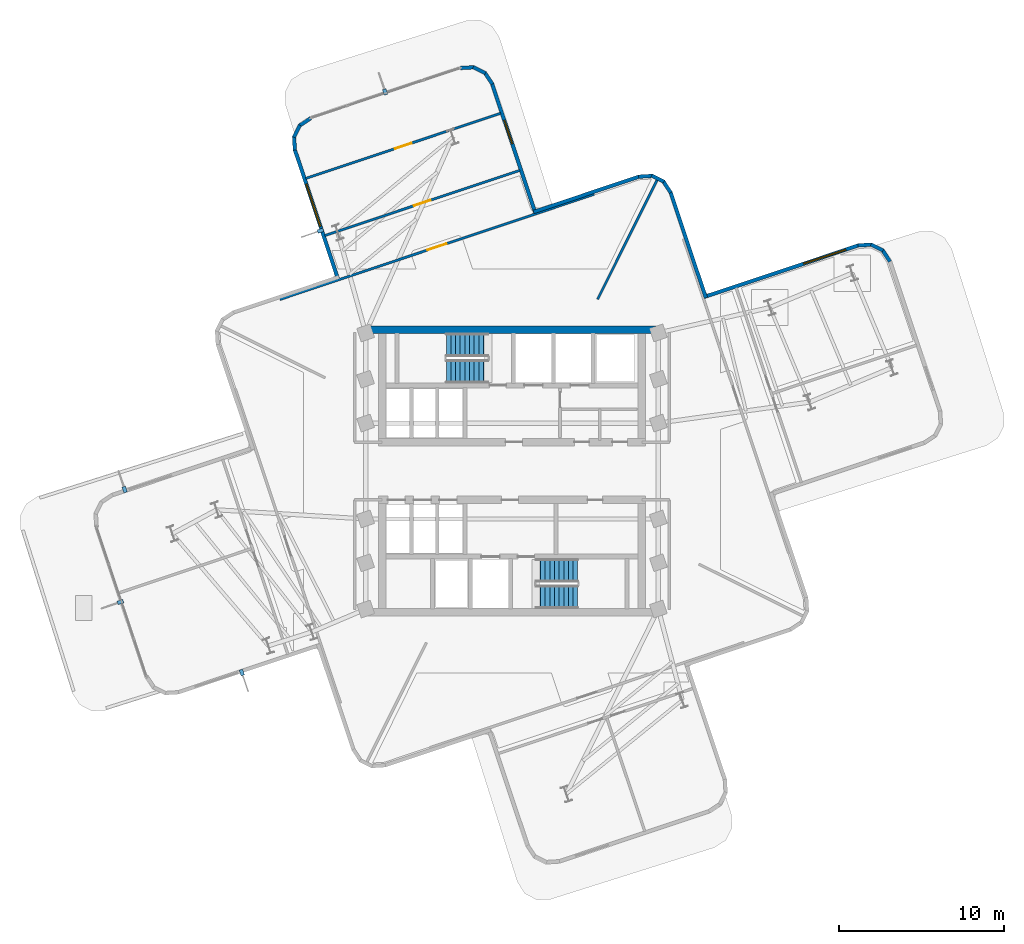
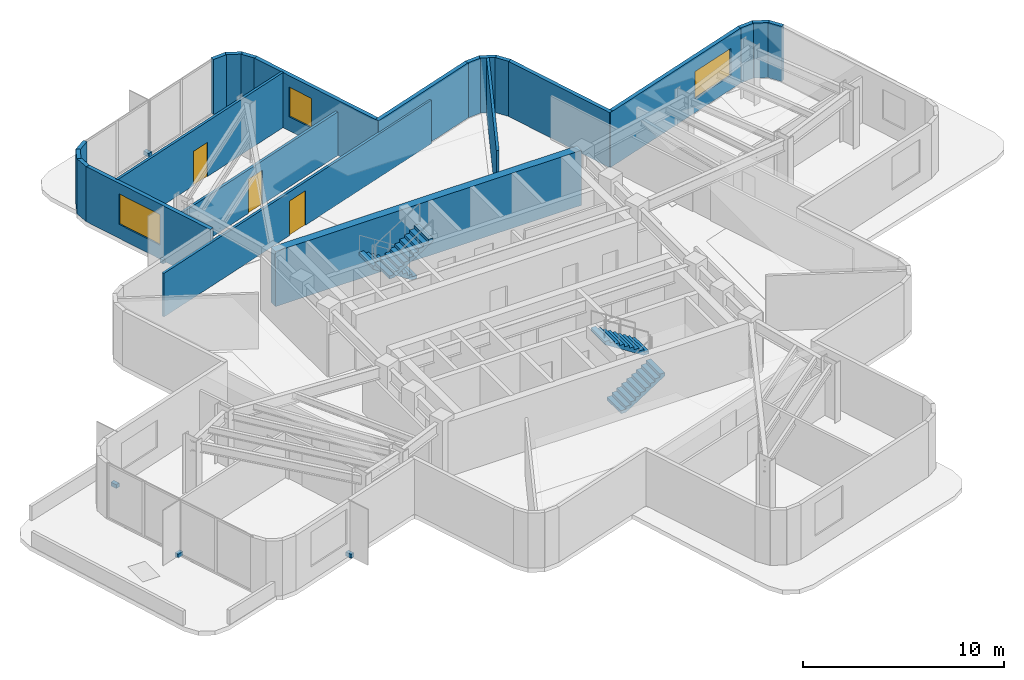
# One storey, part 8 of 11: 22 walls, 5 discrete accessories, 4 stair flights, 3 doors, 3 windows, 6 openings, 2 elements without a shape of their own.
"""IFC4 building model written with IfcOpenShell, lengths in metres."""

from ifc_helpers import new_model, si_unit, direction, frame, frame_2d, origin, origin_2d, place, context, subcontext, project, spatial, polyline, rectangle, outline, extrude, material, layer, layer_set, type_object, element, fill, aggregate, save


model = new_model("IFC4")

# Units and contexts
model_context = context("Model", 3, precision=1e-05, world=origin(), true_north=direction((0.0, 1.0)))
body_context = subcontext(model_context, "Body", "Model", "MODEL_VIEW")
ifc_project = project(units=[si_unit("LENGTHUNIT", "METRE"), si_unit("AREAUNIT", "SQUARE_METRE"), si_unit("VOLUMEUNIT", "CUBIC_METRE"), si_unit("PLANEANGLEUNIT", "RADIAN"), si_unit("MASSUNIT", "GRAM", prefix="KILO")], contexts=[model_context])

# Site, building, storey
site_placement = place(None, origin())
site = spatial("IfcSite", under=ifc_project, at=site_placement, CompositionType="ELEMENT")
building_placement = place(site_placement, origin())
building = spatial("IfcBuilding", under=site, at=building_placement, Name="Solmarez Civic Tower", CompositionType="ELEMENT")
storey_placement = place(building_placement, frame((0.0, 0.0, 155.8798828125)))
storey = spatial("IfcBuildingStorey", under=building, at=storey_placement, Name="L41", CompositionType="ELEMENT", Elevation=155.8798828125)

# Wall
ifc_material_1 = material(Name="Concrete C50/60", Category="concrete")
ifc_layer_1 = layer(ifc_material_1, 0.449951171875)
ifc_layer_set_1 = layer_set([ifc_layer_1], Name="Concrete C50/60")
wall_type_1 = type_object("IfcWallType", Name="WALL-CORE-450", PredefinedType="SHEAR", material=ifc_layer_set_1)
wall_1_placement = place(storey_placement, frame((-8.780029296875, 8.534912109375, 0.0), z_axis=(0.0, 0.0, 1.0), x_axis=(1.0, 0.0, 0.0)))
element("IfcWall", 1, at=wall_1_placement, inside=storey, type_object=wall_type_1, Name="L41 Split-Core Structural Wall NCW-N-L41", PredefinedType="SHEAR", context=body_context, shape_type="SweptSolid", body=[
    extrude(rectangle(XDim=17.56005859375, YDim=0.449951171875, at=frame_2d((8.780029296875, 0.0))), origin(), (0.0, 0.0, 1.0), 3.340087890625),
])

# Wall, opening, window
ifc_material_2 = material(Name="Precast concrete C40/50", Category="concrete")
ifc_layer_2 = layer(ifc_material_2, 0.219970703125)
ifc_layer_set_2 = layer_set([ifc_layer_2], Name="Precast concrete C40/50")
wall_type_2 = type_object("IfcWallType", Name="WALL-EXT-220", PredefinedType="SOLIDWALL", material=ifc_layer_set_2)
wall_2_placement = place(storey_placement, frame((-10.51904296875, 11.614990234375, 0.0), z_axis=(0.0, 0.0, 1.0), x_axis=(-0.317229741122, 0.948348718219, 0.0)))
wall_2 = element("IfcWall", 2, at=wall_2_placement, inside=storey, type_object=wall_type_2, Name="L41 Exterior Precast Wall 20", PredefinedType="SOLIDWALL", context=body_context, shape_type="SweptSolid", body=[
    extrude(rectangle(XDim=8.258544921875, YDim=0.219970703125, at=frame_2d((4.12939453125, 0.0))), origin(), (0.0, 0.0, 1.0), 3.340087890625),
])
opening_1_placement = place(wall_2_placement, frame((3.35009765625, 0.0, 0.85009765625)))
opening_1 = element("IfcOpeningElement", 3, at=opening_1_placement, cuts=wall_2, Name="Opening W-05", PredefinedType="OPENING", context=body_context, shape_type="SweptSolid", body=[
    extrude(rectangle(XDim=2.699951171875, YDim=1.85009765625, at=frame_2d((1.35009765625, 0.925048828125))), frame((0.0, 0.119873046875, 0.0), z_axis=(0.0, -1.0, 0.0), x_axis=(1.0, 0.0, 0.0)), (0.0, 0.0, 1.0), 0.239990234375),
])
ifc_material_3 = material(Name="Solar Control Bronze-Tinted Insulating Glass", Category="glass")
window_type_1 = type_object("IfcWindowType", Name="WIN-2700X1850", PartitioningType="SINGLE_PANEL", PredefinedType="WINDOW", material=ifc_material_3)
window_1_placement = place(opening_1_placement, origin())
window_1 = element("IfcWindow", 4, at=window_1_placement, inside=storey, type_object=window_type_1, Name="L41 Exterior Facade Window 20", OverallHeight=1.85009765625, OverallWidth=2.699951171875, PartitioningType="SINGLE_PANEL", PredefinedType="WINDOW", context=body_context, shape_type="SweptSolid", body=[
    extrude(rectangle(XDim=2.699951171875, YDim=1.85009765625, at=frame_2d((1.35009765625, 0.925048828125))), frame((0.0, 0.030029296875, 0.0), z_axis=(0.0, -1.0, 0.0), x_axis=(1.0, 0.0, 0.0)), (0.0, 0.0, 1.0), 0.06005859375),
])
fill(opening_1, window_1)

# Walls
wall_3_placement = place(storey_placement, frame((-13.12890625, 19.39794921875, 0.0), z_axis=(0.0, 0.0, 1.0), x_axis=(-0.062378286155, 0.998052578483, 0.0)))
element("IfcWall", 5, at=wall_3_placement, inside=storey, type_object=wall_type_2, Name="L41 Exterior Precast Wall 21", PredefinedType="SOLIDWALL", context=body_context, shape_type="SweptSolid", body=[
    extrude(rectangle(XDim=0.833740234375, YDim=0.219970703125, at=frame_2d((0.4169921875, 0.0))), origin(), (0.0, 0.0, 1.0), 3.340087890625),
])
wall_4_placement = place(storey_placement, frame((-13.18994140625, 20.18310546875, 0.0), z_axis=(0.0, 0.0, 1.0), x_axis=(0.445781750405, 0.895141682085, 0.0)))
element("IfcWall", 6, at=wall_4_placement, inside=storey, type_object=wall_type_2, Name="L41 Exterior Precast Wall 22", PredefinedType="SOLIDWALL", context=body_context, shape_type="SweptSolid", body=[
    extrude(rectangle(XDim=0.81884765625, YDim=0.219970703125, at=frame_2d((0.409423828125, 0.0))), origin(), (0.0, 0.0, 1.0), 3.340087890625),
])
wall_5_placement = place(storey_placement, frame((-12.85693359375, 20.8798828125, 0.0), z_axis=(0.0, 0.0, 1.0), x_axis=(0.833621383437, 0.552336300706, 0.0)))
element("IfcWall", 7, at=wall_5_placement, inside=storey, type_object=wall_type_2, Name="L41 Exterior Precast Wall 23", PredefinedType="SOLIDWALL", context=body_context, shape_type="SweptSolid", body=[
    extrude(rectangle(XDim=0.8349609375, YDim=0.219970703125, at=frame_2d((0.41748046875, 0.0))), origin(), (0.0, 0.0, 1.0), 3.340087890625),
])
wall_6_placement = place(storey_placement, frame((-3.131103515625, 24.363037109375, 0.0), z_axis=(0.0, 0.0, 1.0), x_axis=(0.998269325078, 0.05880777677, 0.0)))
element("IfcWall", 8, at=wall_6_placement, inside=storey, type_object=wall_type_2, Name="L41 Exterior Precast Wall 25", PredefinedType="SOLIDWALL", context=body_context, shape_type="SweptSolid", body=[
    extrude(rectangle(XDim=0.83447265625, YDim=0.219970703125, at=frame_2d((0.417236328125, 0.0))), origin(), (0.0, 0.0, 1.0), 3.340087890625),
])
wall_7_placement = place(storey_placement, frame((-2.344970703125, 24.422119140625, 0.0), z_axis=(0.0, 0.0, 1.0), x_axis=(0.895022680219, -0.446020629449, 0.0)))
element("IfcWall", 9, at=wall_7_placement, inside=storey, type_object=wall_type_2, Name="L41 Exterior Precast Wall 26", PredefinedType="SOLIDWALL", context=body_context, shape_type="SweptSolid", body=[
    extrude(rectangle(XDim=0.81884765625, YDim=0.219970703125, at=frame_2d((0.409423828125, 0.0))), origin(), (0.0, 0.0, 1.0), 3.340087890625),
])
wall_8_placement = place(storey_placement, frame((-1.64794921875, 24.089111328125, 0.0), z_axis=(0.0, 0.0, 1.0), x_axis=(0.551319103184, -0.834294460286, 0.0)))
element("IfcWall", 10, at=wall_8_placement, inside=storey, type_object=wall_type_2, Name="L41 Exterior Precast Wall 27", PredefinedType="SOLIDWALL", context=body_context, shape_type="SweptSolid", body=[
    extrude(rectangle(XDim=0.834228515625, YDim=0.219970703125, at=frame_2d((0.4169921875, 0.0))), origin(), (0.0, 0.0, 1.0), 3.340087890625),
])

# Wall, opening, window
wall_9_placement = place(storey_placement, frame((-1.2099609375, 23.43798828125, 0.0), z_axis=(0.0, 0.0, 1.0), x_axis=(0.317371670522, -0.948301229963, 0.0)))
wall_9 = element("IfcWall", 11, at=wall_9_placement, inside=storey, type_object=wall_type_2, Name="L41 Exterior Precast Wall 28", PredefinedType="SOLIDWALL", context=body_context, shape_type="SweptSolid", body=[
    extrude(rectangle(XDim=8.258056640625, YDim=0.219970703125, at=frame_2d((4.12890625, 0.0))), origin(), (0.0, 0.0, 1.0), 3.340087890625),
])
opening_2_placement = place(wall_9_placement, frame((2.35009765625, 0.0, 0.85009765625)))
opening_2 = element("IfcOpeningElement", 12, at=opening_2_placement, cuts=wall_9, Name="Opening W-13", PredefinedType="OPENING", context=body_context, shape_type="SweptSolid", body=[
    extrude(rectangle(XDim=1.5, YDim=1.800048828125, at=frame_2d((0.75, 0.89990234375))), frame((0.0, 0.119873046875, 0.0), z_axis=(0.0, -1.0, 0.0), x_axis=(1.0, 0.0, 0.0)), (0.0, 0.0, 1.0), 0.239990234375),
])
window_type_2 = type_object("IfcWindowType", Name="WIN-1500X1800", PartitioningType="SINGLE_PANEL", PredefinedType="WINDOW", material=ifc_material_3)
window_2_placement = place(opening_2_placement, origin())
window_2 = element("IfcWindow", 13, at=window_2_placement, inside=storey, type_object=window_type_2, Name="L41 Exterior Facade Window 28", OverallHeight=1.800048828125, OverallWidth=1.5, PartitioningType="SINGLE_PANEL", PredefinedType="WINDOW", context=body_context, shape_type="SweptSolid", body=[
    extrude(rectangle(XDim=1.5, YDim=1.800048828125, at=frame_2d((0.75, 0.89990234375))), frame((0.0, 0.030029296875, 0.0), z_axis=(0.0, -1.0, 0.0), x_axis=(1.0, 0.0, 0.0)), (0.0, 0.0, 1.0), 0.06005859375),
])
fill(opening_2, window_2)

# Walls
wall_10_placement = place(storey_placement, frame((1.300048828125, 15.662109375, 0.0), z_axis=(0.0, 0.0, 1.0), x_axis=(0.948350412494, 0.317224676093, 0.0)))
element("IfcWall", 14, at=wall_10_placement, inside=storey, type_object=wall_type_2, Name="L41 Exterior Precast Wall 31", PredefinedType="SOLIDWALL", context=body_context, shape_type="SweptSolid", body=[
    extrude(rectangle(XDim=6.758056640625, YDim=0.219970703125, at=frame_2d((3.37890625, 0.0))), origin(), (0.0, 0.0, 1.0), 3.340087890625),
])
wall_11_placement = place(storey_placement, frame((7.659912109375, 17.7958984375, 0.0), z_axis=(0.0, 0.0, 1.0), x_axis=(0.998057128569, 0.062305442082, 0.0)))
element("IfcWall", 15, at=wall_11_placement, inside=storey, type_object=wall_type_2, Name="L41 Exterior Precast Wall 32", PredefinedType="SOLIDWALL", context=body_context, shape_type="SweptSolid", body=[
    extrude(rectangle(XDim=0.834716796875, YDim=0.219970703125, at=frame_2d((0.41748046875, 0.0))), origin(), (0.0, 0.0, 1.0), 3.340087890625),
])
wall_12_placement = place(storey_placement, frame((8.446044921875, 17.85693359375, 0.0), z_axis=(0.0, 0.0, 1.0), x_axis=(0.894904281631, -0.446258139106, 0.0)))
element("IfcWall", 16, at=wall_12_placement, inside=storey, type_object=wall_type_2, Name="L41 Exterior Precast Wall 33", PredefinedType="SOLIDWALL", context=body_context, shape_type="SweptSolid", body=[
    extrude(rectangle(XDim=0.81787109375, YDim=0.219970703125, at=frame_2d((0.408935546875, 0.0))), origin(), (0.0, 0.0, 1.0), 3.340087890625),
])
wall_13_placement = place(storey_placement, frame((9.14208984375, 17.52392578125, 0.0), z_axis=(0.0, 0.0, 1.0), x_axis=(0.552133058206, -0.833756011094, 0.0)))
element("IfcWall", 17, at=wall_13_placement, inside=storey, type_object=wall_type_2, Name="L41 Exterior Precast Wall 34", PredefinedType="SOLIDWALL", context=body_context, shape_type="SweptSolid", body=[
    extrude(rectangle(XDim=0.834716796875, YDim=0.219970703125, at=frame_2d((0.41748046875, 0.0))), origin(), (0.0, 0.0, 1.0), 3.340087890625),
])
wall_14_placement = place(storey_placement, frame((9.5810546875, 16.873046875, 0.0), z_axis=(0.0, 0.0, 1.0), x_axis=(0.317387116224, -0.94829606055, 0.0)))
element("IfcWall", 18, at=wall_14_placement, inside=storey, type_object=wall_type_2, Name="L41 Exterior Precast Wall 35", PredefinedType="SOLIDWALL", context=body_context, shape_type="SweptSolid", body=[
    extrude(rectangle(XDim=6.75830078125, YDim=0.219970703125, at=frame_2d((3.379150390625, 0.0))), origin(), (0.0, 0.0, 1.0), 3.340087890625),
])

# Wall, opening, window
wall_15_placement = place(storey_placement, frame((11.614990234375, 10.51904296875, 0.0), z_axis=(0.0, 0.0, 1.0), x_axis=(0.948331055834, 0.317282537404, 0.0)))
wall_15 = element("IfcWall", 19, at=wall_15_placement, inside=storey, type_object=wall_type_2, Name="L41 Exterior Precast Wall 38", PredefinedType="SOLIDWALL", context=body_context, shape_type="SweptSolid", body=[
    extrude(rectangle(XDim=9.8583984375, YDim=0.219970703125, at=frame_2d((4.92919921875, 0.0))), origin(), (0.0, 0.0, 1.0), 3.340087890625),
])
opening_3_placement = place(wall_15_placement, frame((6.340087890625, 0.0, 0.85009765625)))
opening_3 = element("IfcOpeningElement", 20, at=opening_3_placement, cuts=wall_15, Name="Opening W-09", PredefinedType="OPENING", context=body_context, shape_type="SweptSolid", body=[
    extrude(rectangle(XDim=2.699951171875, YDim=1.64990234375, at=frame_2d((1.35009765625, 0.824951171875))), frame((0.0, 0.119873046875, 0.0), z_axis=(0.0, -1.0, 0.0), x_axis=(1.0, 0.0, 0.0)), (0.0, 0.0, 1.0), 0.239990234375),
])
window_type_3 = type_object("IfcWindowType", Name="WIN-2700X1650", PartitioningType="SINGLE_PANEL", PredefinedType="WINDOW", material=ifc_material_3)
window_3_placement = place(opening_3_placement, origin())
window_3 = element("IfcWindow", 21, at=window_3_placement, inside=storey, type_object=window_type_3, Name="L41 Exterior Facade Window 38", OverallHeight=1.64990234375, OverallWidth=2.699951171875, PartitioningType="SINGLE_PANEL", PredefinedType="WINDOW", context=body_context, shape_type="SweptSolid", body=[
    extrude(rectangle(XDim=2.699951171875, YDim=1.64990234375, at=frame_2d((1.35009765625, 0.824951171875))), frame((0.0, 0.030029296875, 0.0), z_axis=(0.0, -1.0, 0.0), x_axis=(1.0, 0.0, 0.0)), (0.0, 0.0, 1.0), 0.06005859375),
])
fill(opening_3, window_3)

# Walls
wall_16_placement = place(storey_placement, frame((20.9150390625, 13.636962890625, 0.0), z_axis=(0.0, 0.0, 1.0), x_axis=(0.998057128569, 0.062305442082, 0.0)))
element("IfcWall", 22, at=wall_16_placement, inside=storey, type_object=wall_type_2, Name="L41 Exterior Precast Wall 39", PredefinedType="SOLIDWALL", context=body_context, shape_type="SweptSolid", body=[
    extrude(rectangle(XDim=0.834716796875, YDim=0.219970703125, at=frame_2d((0.41748046875, 0.0))), origin(), (0.0, 0.0, 1.0), 3.340087890625),
])
wall_17_placement = place(storey_placement, frame((21.700927734375, 13.697998046875, 0.0), z_axis=(0.0, 0.0, 1.0), x_axis=(0.894963703084, -0.446138958356, 0.0)))
element("IfcWall", 23, at=wall_17_placement, inside=storey, type_object=wall_type_2, Name="L41 Exterior Precast Wall 40", PredefinedType="SOLIDWALL", context=body_context, shape_type="SweptSolid", body=[
    extrude(rectangle(XDim=0.818115234375, YDim=0.219970703125, at=frame_2d((0.4091796875, 0.0))), origin(), (0.0, 0.0, 1.0), 3.340087890625),
])
wall_18_placement = place(storey_placement, frame((22.39697265625, 13.364990234375, 0.0), z_axis=(0.0, 0.0, 1.0), x_axis=(0.552133058206, -0.833756011094, 0.0)))
element("IfcWall", 24, at=wall_18_placement, inside=storey, type_object=wall_type_2, Name="L41 Exterior Precast Wall 41", PredefinedType="SOLIDWALL", context=body_context, shape_type="SweptSolid", body=[
    extrude(rectangle(XDim=0.834716796875, YDim=0.219970703125, at=frame_2d((0.41748046875, 0.0))), origin(), (0.0, 0.0, 1.0), 3.340087890625),
])
ifc_material_4 = material(Name="Gypsum Board Acoustic Steel-Stud Partition", Category="steel")
ifc_layer_3 = layer(ifc_material_4, 0.14501953125)
ifc_layer_set_3 = layer_set([ifc_layer_3], Name="Gypsum Board Acoustic Steel-Stud Partition")
wall_type_3 = type_object("IfcWallType", Name="WALL-INT-PART-150", PredefinedType="PARTITIONING", material=ifc_layer_set_3)
wall_19_placement = place(storey_placement, frame((5.176025390625, 10.3798828125, 0.0), z_axis=(0.0, 0.0, 1.0), x_axis=(0.446173290391, 0.894946587759, 0.0)))
element("IfcWall", 25, at=wall_19_placement, inside=storey, type_object=wall_type_3, Name="L41 Interior Partition PT-L41-QDIV-1", PredefinedType="PARTITIONING", context=body_context, shape_type="SweptSolid", body=[
    extrude(rectangle(XDim=8.075439453125, YDim=0.14501953125, at=frame_2d((4.03759765625, 0.0))), origin(), (0.0, 0.0, 1.0), 3.340087890625),
])

# Wall, opening, door
wall_20_placement = place(storey_placement, frame((-14.037109375, 10.3720703125, 0.0), z_axis=(0.0, 0.0, 1.0), x_axis=(0.94832575435, 0.317298382655, 0.0)))
wall_20 = element("IfcWall", 26, at=wall_20_placement, inside=storey, type_object=wall_type_3, Name="L41 Interior Partition PT-L41-N-ENT", PredefinedType="PARTITIONING", context=body_context, shape_type="SweptSolid", body=[
    extrude(rectangle(XDim=20.040771484375, YDim=0.14501953125, at=frame_2d((10.0205078125, 0.0))), origin(), (0.0, 0.0, 1.0), 2.64404296875),
])
opening_4_placement = place(wall_20_placement, frame((9.419921875, 0.0, 0.0)))
opening_4 = element("IfcOpeningElement", 27, at=opening_4_placement, cuts=wall_20, Name="Opening D-11", PredefinedType="OPENING", context=body_context, shape_type="SweptSolid", body=[
    extrude(rectangle(XDim=1.199951171875, YDim=2.10009765625, at=frame_2d((0.60009765625, 1.050048828125))), frame((0.0, 0.08251953125, 0.0), z_axis=(0.0, -1.0, 0.0), x_axis=(1.0, 0.0, 0.0)), (0.0, 0.0, 1.0), 0.1650390625),
])
ifc_material_5 = material(Name="Glazed-Vision Acoustic Chamber Door", Category="wood")
door_type_1 = type_object("IfcDoorType", Name="DOOR-INT-1200", OperationType="NOTDEFINED", PredefinedType="DOOR", material=ifc_material_5)
door_1_placement = place(opening_4_placement, origin())
door_1 = element("IfcDoor", 28, at=door_1_placement, inside=storey, type_object=door_type_1, Name="L41 Delegation Concierge Room First North Door", OperationType="SINGLE_SWING_LEFT", OverallHeight=2.10009765625, OverallWidth=1.199951171875, PredefinedType="DOOR", context=body_context, shape_type="SweptSolid", body=[
    extrude(rectangle(XDim=1.199951171875, YDim=2.10009765625, at=frame_2d((0.60009765625, 1.050048828125))), frame((0.0, 0.02490234375, 0.0), z_axis=(0.0, -1.0, 0.0), x_axis=(1.0, 0.0, 0.0)), (0.0, 0.0, 1.0), 0.050048828125),
])
fill(opening_4, door_1)

wall_21_placement = place(storey_placement, frame((-11.31689453125, 14.235107421875, 0.0), z_axis=(0.0, 0.0, 1.0), x_axis=(0.948331136084, 0.317282297544, 0.0)))
wall_21 = element("IfcWall", 29, at=wall_21_placement, inside=storey, type_object=wall_type_3, Name="L41 Interior Partition PT-L41-N-SC1", PredefinedType="PARTITIONING", context=body_context, shape_type="SweptSolid", body=[
    extrude(rectangle(XDim=12.43017578125, YDim=0.14501953125, at=frame_2d((6.215087890625, 0.0))), origin(), (0.0, 0.0, 1.0), 2.64404296875),
])
opening_5_placement = place(wall_21_placement, frame((5.68994140625, 0.0, 0.0)))
opening_5 = element("IfcOpeningElement", 30, at=opening_5_placement, cuts=wall_21, Name="Opening D-13", PredefinedType="OPENING", context=body_context, shape_type="SweptSolid", body=[
    extrude(rectangle(XDim=1.050048828125, YDim=2.080078125, at=frame_2d((0.52490234375, 1.0400390625))), frame((0.0, 0.08251953125, 0.0), z_axis=(0.0, -1.0, 0.0), x_axis=(1.0, 0.0, 0.0)), (0.0, 0.0, 1.0), 0.1650390625),
])
ifc_material_6 = material(Name="Timber Directorate Office Door", Category="wood")
door_type_2 = type_object("IfcDoorType", Name="DOOR-INT-1050", OperationType="NOTDEFINED", PredefinedType="DOOR", material=ifc_material_6)
door_2_placement = place(opening_5_placement, origin())
door_2 = element("IfcDoor", 31, at=door_2_placement, inside=storey, type_object=door_type_2, Name="L41 Security Control Room North Door", OperationType="SINGLE_SWING_LEFT", OverallHeight=2.080078125, OverallWidth=1.050048828125, PredefinedType="DOOR", context=body_context, shape_type="SweptSolid", body=[
    extrude(rectangle(XDim=1.050048828125, YDim=2.080078125, at=frame_2d((0.52490234375, 1.0400390625))), frame((0.0, 0.02490234375, 0.0), z_axis=(0.0, -1.0, 0.0), x_axis=(1.0, 0.0, 0.0)), (0.0, 0.0, 1.0), 0.050048828125),
])
fill(opening_5, door_2)

wall_22_placement = place(storey_placement, frame((-12.471923828125, 17.68701171875, 0.0), z_axis=(0.0, 0.0, 1.0), x_axis=(0.948325226172, 0.317299961245, 0.0)))
wall_22 = element("IfcWall", 32, at=wall_22_placement, inside=storey, type_object=wall_type_3, Name="L41 Interior Partition PT-L41-N-SC2", PredefinedType="PARTITIONING", context=body_context, shape_type="SweptSolid", body=[
    extrude(rectangle(XDim=12.43017578125, YDim=0.14501953125, at=frame_2d((6.215087890625, 0.0))), origin(), (0.0, 0.0, 1.0), 3.340087890625),
])
opening_6_placement = place(wall_22_placement, frame((5.68994140625, 0.0, 0.0)))
opening_6 = element("IfcOpeningElement", 33, at=opening_6_placement, cuts=wall_22, Name="Opening D-13", PredefinedType="OPENING", context=body_context, shape_type="SweptSolid", body=[
    extrude(rectangle(XDim=1.050048828125, YDim=2.080078125, at=frame_2d((0.52490234375, 1.0400390625))), frame((0.0, 0.08251953125, 0.0), z_axis=(0.0, -1.0, 0.0), x_axis=(1.0, 0.0, 0.0)), (0.0, 0.0, 1.0), 0.1650390625),
])
door_3_placement = place(opening_6_placement, origin())
door_3 = element("IfcDoor", 34, at=door_3_placement, inside=storey, type_object=door_type_2, Name="L41 Public Reception Room North Door", OperationType="SINGLE_SWING_RIGHT", OverallHeight=2.080078125, OverallWidth=1.050048828125, PredefinedType="DOOR", context=body_context, shape_type="SweptSolid", body=[
    extrude(rectangle(XDim=1.050048828125, YDim=2.080078125, at=frame_2d((0.52490234375, 1.0400390625))), frame((0.0, 0.02490234375, 0.0), z_axis=(0.0, -1.0, 0.0), x_axis=(1.0, 0.0, 0.0)), (0.0, 0.0, 1.0), 0.050048828125),
])
fill(opening_6, door_3)

# Stair, stair flights
stair_type = type_object("IfcStairType", Name="STAIR-DOGLEG-140W-20R-1800", PredefinedType="HALF_TURN_STAIR", material=ifc_material_1)
stair_1_placement = place(storey_placement, origin())
stair_1 = element("IfcStair", 35, at=stair_1_placement, inside=storey, type_object=stair_type, Name="L41 North Core Protected Exit Stair ST-1", PredefinedType="HALF_TURN_STAIR")
stair_flight_type = type_object("IfcStairFlightType", Name="FLIGHT-DOGLEG-140W-10R-1800", PredefinedType="STRAIGHT", material=ifc_material_1)
stair_flight_1_placement = place(storey_placement, frame((-1.449951171875, 7.6201171875, 0.0), z_axis=(0.0, 0.0, 1.0), x_axis=(-1.0, 0.0, 0.0)))
stair_flight_1 = element("IfcStairFlight", 36, at=stair_flight_1_placement, type_object=stair_flight_type, Name="ST-1 flight 1", NumberOfRisers=10, NumberOfTreads=9, PredefinedType="STRAIGHT", RiserHeight=0.18, TreadLength=0.28, context=body_context, shape_type="SweptSolid", body=[
    extrude(outline(polyline([(0.0, 0.0), (0.0, 0.179931640625), (0.280029296875, 0.179931640625), (0.280029296875, 0.360107421875), (0.56005859375, 0.360107421875), (0.56005859375, 0.5400390625), (0.840087890625, 0.5400390625), (0.840087890625, 0.719970703125), (1.1201171875, 0.719970703125), (1.1201171875, 0.89990234375), (1.39990234375, 0.89990234375), (1.39990234375, 1.080078125), (1.679931640625, 1.080078125), (1.679931640625, 1.260009765625), (1.9599609375, 1.260009765625), (1.9599609375, 1.43994140625), (2.239990234375, 1.43994140625), (2.239990234375, 1.6201171875), (2.52001953125, 1.6201171875), (2.52001953125, 1.800048828125), (2.52001953125, 1.429931640625), (0.295654296875, 0.0), (0.0, 0.0)])), frame((0.0, 0.699951171875, 0.0), z_axis=(0.0, -1.0, 0.0), x_axis=(1.0, 0.0, 0.0)), (0.0, 0.0, 1.0), 1.39990234375),
])
stair_flight_2_placement = place(storey_placement, frame((-3.969970703125, 6.02001953125, 1.800048828125), z_axis=(0.0, 0.0, 1.0), x_axis=(1.0, 0.0, 0.0)))
stair_flight_2 = element("IfcStairFlight", 37, at=stair_flight_2_placement, type_object=stair_flight_type, Name="ST-1 flight 2", NumberOfRisers=10, NumberOfTreads=9, PredefinedType="STRAIGHT", RiserHeight=0.18, TreadLength=0.28, context=body_context, shape_type="SweptSolid", body=[
    extrude(outline(polyline([(0.0, 0.0), (0.0, 0.179931640625), (0.280029296875, 0.179931640625), (0.280029296875, 0.360107421875), (0.56005859375, 0.360107421875), (0.56005859375, 0.5400390625), (0.840087890625, 0.5400390625), (0.840087890625, 0.719970703125), (1.1201171875, 0.719970703125), (1.1201171875, 0.89990234375), (1.39990234375, 0.89990234375), (1.39990234375, 1.080078125), (1.679931640625, 1.080078125), (1.679931640625, 1.260009765625), (1.9599609375, 1.260009765625), (1.9599609375, 1.43994140625), (2.239990234375, 1.43994140625), (2.239990234375, 1.6201171875), (2.52001953125, 1.6201171875), (2.52001953125, 1.800048828125), (2.52001953125, 1.429931640625), (0.295654296875, 0.0), (0.0, 0.0)])), frame((0.0, 0.699951171875, 0.0), z_axis=(0.0, -1.0, 0.0), x_axis=(1.0, 0.0, 0.0)), (0.0, 0.0, 1.0), 1.39990234375),
])
aggregate(stair_1, [stair_flight_1, stair_flight_2])

stair_2_placement = place(storey_placement, origin())
stair_2 = element("IfcStair", 38, at=stair_2_placement, inside=storey, type_object=stair_type, Name="L41 South Core Protected Exit Stair ST-2", PredefinedType="HALF_TURN_STAIR")
stair_flight_3_placement = place(storey_placement, frame((1.449951171875, -7.6201171875, 0.0), z_axis=(0.0, 0.0, 1.0), x_axis=(1.0, 0.0, 0.0)))
stair_flight_3 = element("IfcStairFlight", 39, at=stair_flight_3_placement, type_object=stair_flight_type, Name="ST-2 flight 1", NumberOfRisers=10, NumberOfTreads=9, PredefinedType="STRAIGHT", RiserHeight=0.18, TreadLength=0.28, context=body_context, shape_type="SweptSolid", body=[
    extrude(outline(polyline([(0.0, 0.0), (0.0, 0.179931640625), (0.280029296875, 0.179931640625), (0.280029296875, 0.360107421875), (0.56005859375, 0.360107421875), (0.56005859375, 0.5400390625), (0.840087890625, 0.5400390625), (0.840087890625, 0.719970703125), (1.1201171875, 0.719970703125), (1.1201171875, 0.89990234375), (1.39990234375, 0.89990234375), (1.39990234375, 1.080078125), (1.679931640625, 1.080078125), (1.679931640625, 1.260009765625), (1.9599609375, 1.260009765625), (1.9599609375, 1.43994140625), (2.239990234375, 1.43994140625), (2.239990234375, 1.6201171875), (2.52001953125, 1.6201171875), (2.52001953125, 1.800048828125), (2.52001953125, 1.429931640625), (0.295654296875, 0.0), (0.0, 0.0)])), frame((0.0, 0.699951171875, 0.0), z_axis=(0.0, -1.0, 0.0), x_axis=(1.0, 0.0, 0.0)), (0.0, 0.0, 1.0), 1.39990234375),
])
stair_flight_4_placement = place(storey_placement, frame((3.969970703125, -6.02001953125, 1.800048828125), z_axis=(0.0, 0.0, 1.0), x_axis=(-1.0, 0.0, 0.0)))
stair_flight_4 = element("IfcStairFlight", 40, at=stair_flight_4_placement, type_object=stair_flight_type, Name="ST-2 flight 2", NumberOfRisers=10, NumberOfTreads=9, PredefinedType="STRAIGHT", RiserHeight=0.18, TreadLength=0.28, context=body_context, shape_type="SweptSolid", body=[
    extrude(outline(polyline([(0.0, 0.0), (0.0, 0.179931640625), (0.280029296875, 0.179931640625), (0.280029296875, 0.360107421875), (0.56005859375, 0.360107421875), (0.56005859375, 0.5400390625), (0.840087890625, 0.5400390625), (0.840087890625, 0.719970703125), (1.1201171875, 0.719970703125), (1.1201171875, 0.89990234375), (1.39990234375, 0.89990234375), (1.39990234375, 1.080078125), (1.679931640625, 1.080078125), (1.679931640625, 1.260009765625), (1.9599609375, 1.260009765625), (1.9599609375, 1.43994140625), (2.239990234375, 1.43994140625), (2.239990234375, 1.6201171875), (2.52001953125, 1.6201171875), (2.52001953125, 1.800048828125), (2.52001953125, 1.429931640625), (0.295654296875, 0.0), (0.0, 0.0)])), frame((0.0, 0.699951171875, 0.0), z_axis=(0.0, -1.0, 0.0), x_axis=(1.0, 0.0, 0.0)), (0.0, 0.0, 1.0), 1.39990234375),
])
aggregate(stair_2, [stair_flight_3, stair_flight_4])

# Discrete accessories
ifc_material_7 = material(Name="Stainless Steel Grade 1.4401", Category="steel")
discrete_accessory_type = type_object("IfcDiscreteAccessoryType", Name="BRACKET-SS-FIN", PredefinedType="BRACKET", material=ifc_material_7)
for number, where, z_axis, x_axis, name in (
    (41, (-16.339111328125, -12.18408203125, -0.06005859375), (0.0, 0.0, 1.0), (0.317267246801, -0.948336171464, 0.0), "L41 Stainless Fin Support Bracket FIN-L41-01"),
    (42, (-23.678955078125, -7.923095703125, -0.06005859375), (0.0, 0.0, 1.0), (-0.948327481565, -0.317293220395, 0.0), "L41 Stainless Fin Support Bracket FIN-L41-02"),
    (43, (-23.416015625, -1.116943359375, -0.06005859375), (0.0, 0.0, 1.0), (-0.317267246801, 0.948336171464, 0.0), "L41 Stainless Fin Support Bracket FIN-L41-03"),
    (44, (-11.577880859375, 14.530029296875, -0.06005859375), (0.0, 0.0, 1.0), (-0.948351314311, -0.317221980079, 0.0), "L41 Stainless Fin Support Bracket FIN-L41-04"),
    (45, (-7.6689453125, 22.9208984375, -0.06005859375), (0.0, 0.0, 1.0), (-0.317324659907, 0.948316961894, 0.0), "L41 Stainless Fin Support Bracket FIN-L41-05"),
):
    element("IfcDiscreteAccessory", number, at=place(storey_placement, frame(where, z_axis=z_axis, x_axis=x_axis)), inside=storey, type_object=discrete_accessory_type, Name=name, PredefinedType="BRACKET", context=body_context, shape_type="SweptSolid", body=[
        extrude(rectangle(XDim=0.360107421875, YDim=0.219970703125, at=origin_2d()), origin(), (0.0, 0.0, 1.0), 0.239990234375),
    ])

save(model, "model.ifc")
